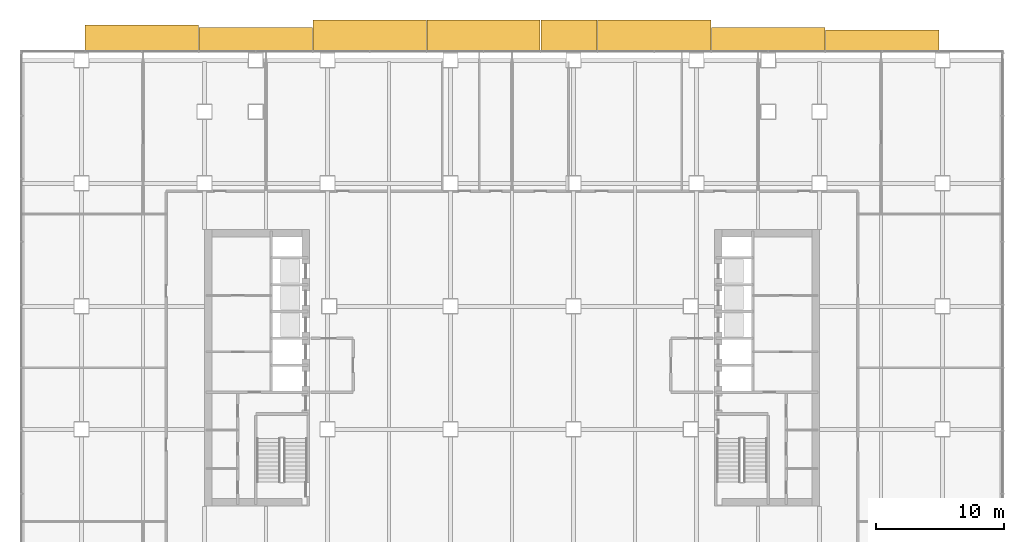
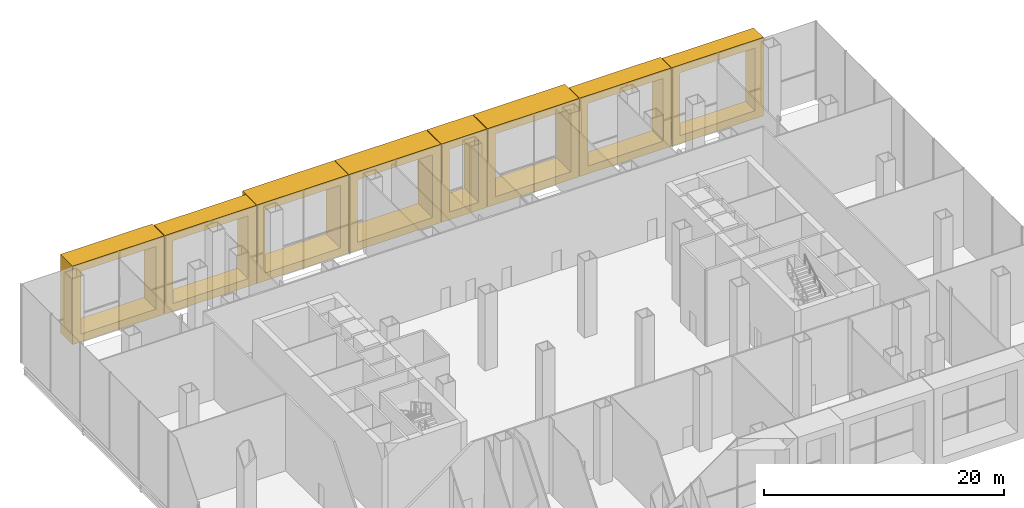
# One storey, part 23 of 24: 8 coverings.
"""IFC4 building model written with IfcOpenShell, lengths in metres."""

from ifc_helpers import new_model, si_unit, direction, frame, origin, place, context, subcontext, project, spatial, polyline, outline, extrude, material, type_object, element, save


model = new_model("IFC4")

# Units and contexts
model_context = context("Model", 3, precision=1e-05, world=origin(), true_north=direction((0.0, 1.0)))
body_context = subcontext(model_context, "Body", "Model", "MODEL_VIEW")
ifc_project = project(units=[si_unit("LENGTHUNIT", "METRE"), si_unit("AREAUNIT", "SQUARE_METRE"), si_unit("VOLUMEUNIT", "CUBIC_METRE"), si_unit("PLANEANGLEUNIT", "RADIAN"), si_unit("MASSUNIT", "GRAM", prefix="KILO")], contexts=[model_context])

# Site, building, storey
site_placement = place(None, origin())
site = spatial("IfcSite", under=ifc_project, at=site_placement, CompositionType="ELEMENT")
building_placement = place(site_placement, origin())
building = spatial("IfcBuilding", under=site, at=building_placement, Name="Cobrizo Arcos Hotel Tower", CompositionType="ELEMENT")
storey_placement = place(building_placement, frame((0.0, 0.0, 7.5)))
storey = spatial("IfcBuildingStorey", under=building, at=storey_placement, Name="L01", CompositionType="ELEMENT", Elevation=7.5)

# Coverings
ifc_material = material(Name="Aluminium 6063-T6 anodised bronze", Category="aluminium")
covering_type_1 = type_object("IfcCoveringType", Name="FIN-F 1600", PredefinedType="CLADDING", material=ifc_material)
covering_1_placement = place(storey_placement, frame((33.308349609375, 24.75, 0.0), z_axis=(0.0, 1.0, 0.0), x_axis=(-1.0, 0.0, 0.0)))
element("IfcCovering", 1, at=covering_1_placement, inside=storey, type_object=covering_type_1, Name="Fin frame 452", PredefinedType="CLADDING", context=body_context, shape_type="SweptSolid", body=[
    extrude(outline(polyline([(0.0, 8.0), (0.0, 0.0), (8.8388671875, 0.0), (8.8388671875, 8.0), (0.0, 8.0)]), holes=[polyline([(8.038818359375, 0.800048828125), (0.800048828125, 0.800048828125), (0.800048828125, 7.199951171875), (8.038818359375, 7.199951171875), (8.038818359375, 0.800048828125)])]), origin(), (0.0, 0.0, 1.0), 1.60009765625),
])
covering_type_2 = type_object("IfcCoveringType", Name="FIN-F 1800", PredefinedType="CLADDING", material=ifc_material)
for number, where, z_axis, x_axis, name in (
    (2, (24.41943359375, 24.75, 0.0), (0.0, 1.0, 0.0), (-1.0, 0.0, 0.0), "Fin frame 453"),
    (3, (-15.58056640625, 24.75, 0.0), (0.0, 1.0, 0.0), (-1.0, 0.0, 0.0), "Fin frame 458"),
):
    element("IfcCovering", number, at=place(storey_placement, frame(where, z_axis=z_axis, x_axis=x_axis)), inside=storey, type_object=covering_type_2, Name=name, PredefinedType="CLADDING", context=body_context, shape_type="SweptSolid", body=[
        extrude(outline(polyline([(0.0, 8.0), (0.0, 0.0), (8.8388671875, 0.0), (8.8388671875, 8.0), (0.0, 8.0)]), holes=[polyline([(8.038818359375, 0.800048828125), (0.800048828125, 0.800048828125), (0.800048828125, 7.199951171875), (8.038818359375, 7.199951171875), (8.038818359375, 0.800048828125)])]), origin(), (0.0, 0.0, 1.0), 1.800048828125),
    ])
covering_type_3 = type_object("IfcCoveringType", Name="FIN-F 2000", PredefinedType="CLADDING", material=ifc_material)
covering_2_placement = place(storey_placement, frame((-24.469482421875, 24.75, 0.0), z_axis=(0.0, 1.0, 0.0), x_axis=(-1.0, 0.0, 0.0)))
element("IfcCovering", 4, at=covering_2_placement, inside=storey, type_object=covering_type_3, Name="Fin frame 459", PredefinedType="CLADDING", context=body_context, shape_type="SweptSolid", body=[
    extrude(outline(polyline([(0.0, 8.0), (0.0, 0.0), (8.8388671875, 0.0), (8.8388671875, 8.0), (0.0, 8.0)]), holes=[polyline([(8.038818359375, 0.800048828125), (0.800048828125, 0.800048828125), (0.800048828125, 7.199951171875), (8.038818359375, 7.199951171875), (8.038818359375, 0.800048828125)])]), origin(), (0.0, 0.0, 1.0), 2.0),
])
covering_type_4 = type_object("IfcCoveringType", Name="FIN-F 2400", PredefinedType="CLADDING", material=ifc_material)
covering_3_placement = place(storey_placement, frame((15.530517578125, 24.75, 0.0), z_axis=(0.0, 1.0, 0.0), x_axis=(-1.0, 0.0, 0.0)))
element("IfcCovering", 5, at=covering_3_placement, inside=storey, type_object=covering_type_4, Name="Fin frame 454", PredefinedType="CLADDING", context=body_context, shape_type="SweptSolid", body=[
    extrude(outline(polyline([(0.0, 8.0), (0.0, 0.0), (8.8388671875, 0.0), (8.8388671875, 8.0), (0.0, 8.0)]), holes=[polyline([(8.038818359375, 0.800048828125), (0.800048828125, 0.800048828125), (0.800048828125, 7.199951171875), (8.038818359375, 7.199951171875), (8.038818359375, 0.800048828125)])]), origin(), (0.0, 0.0, 1.0), 2.39990234375),
])
covering_4_placement = place(storey_placement, frame((6.6416015625, 24.75, 0.0), z_axis=(0.0, 1.0, 0.0), x_axis=(-1.0, 0.0, 0.0)))
element("IfcCovering", 6, at=covering_4_placement, inside=storey, type_object=covering_type_4, Name="Fin frame 455", PredefinedType="CLADDING", context=body_context, shape_type="SweptSolid", body=[
    extrude(outline(polyline([(0.0, 8.0), (0.0, 0.0), (4.394287109375, 0.0), (4.394287109375, 8.0), (0.0, 8.0)]), holes=[polyline([(3.594482421875, 0.800048828125), (0.800048828125, 0.800048828125), (0.800048828125, 7.199951171875), (3.594482421875, 7.199951171875), (3.594482421875, 0.800048828125)])]), origin(), (0.0, 0.0, 1.0), 2.39990234375),
])
for number, where, z_axis, x_axis, name in (
    (7, (2.197265625, 24.75, 0.0), (0.0, 1.0, 0.0), (-1.0, 0.0, 0.0), "Fin frame 456"),
    (8, (-6.691650390625, 24.75, 0.0), (0.0, 1.0, 0.0), (-1.0, 0.0, 0.0), "Fin frame 457"),
):
    element("IfcCovering", number, at=place(storey_placement, frame(where, z_axis=z_axis, x_axis=x_axis)), inside=storey, type_object=covering_type_4, Name=name, PredefinedType="CLADDING", context=body_context, shape_type="SweptSolid", body=[
        extrude(outline(polyline([(0.0, 8.0), (0.0, 0.0), (8.8388671875, 0.0), (8.8388671875, 8.0), (0.0, 8.0)]), holes=[polyline([(8.038818359375, 0.800048828125), (0.800048828125, 0.800048828125), (0.800048828125, 7.199951171875), (8.038818359375, 7.199951171875), (8.038818359375, 0.800048828125)])]), origin(), (0.0, 0.0, 1.0), 2.39990234375),
    ])

save(model, "model.ifc")
